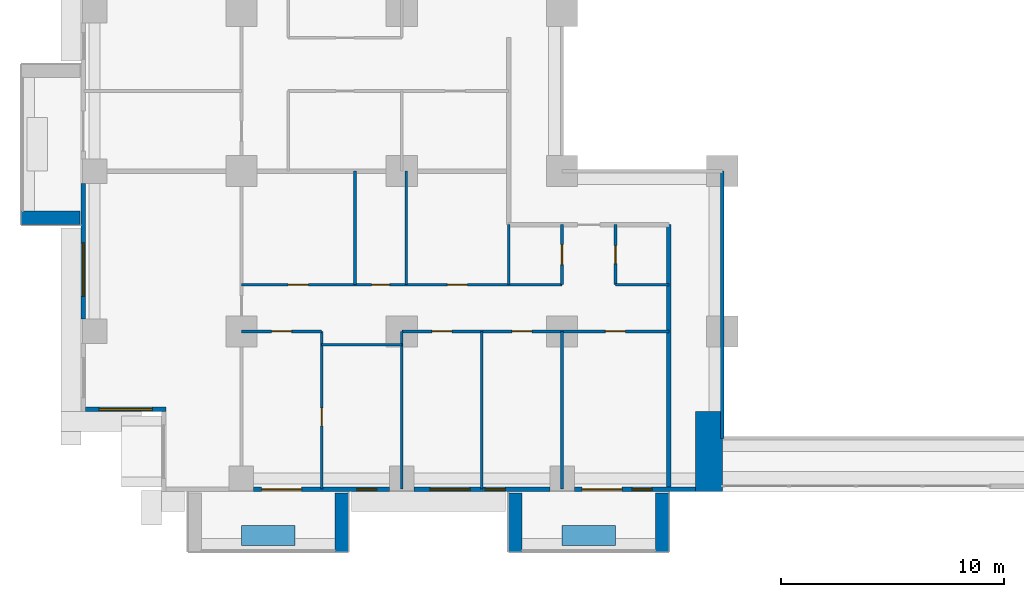
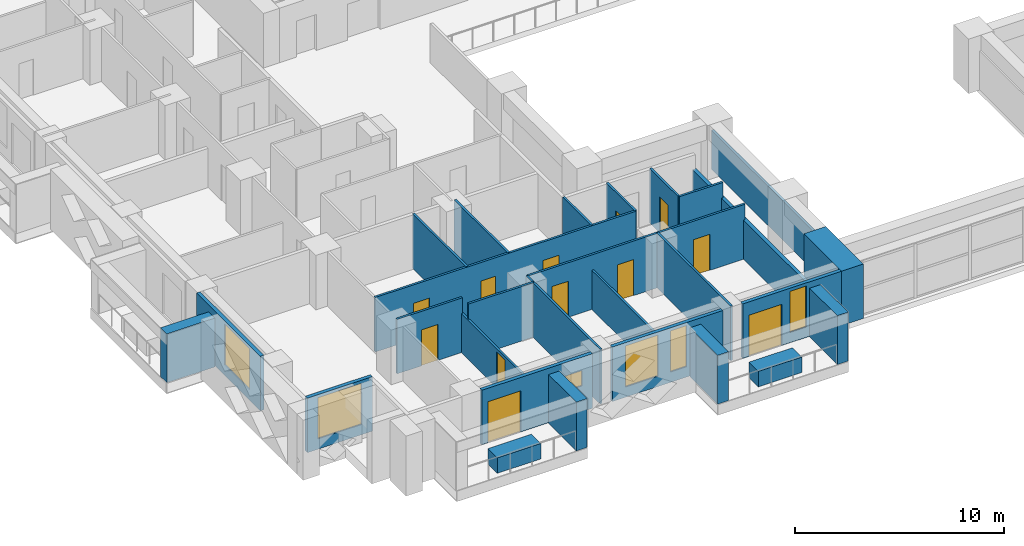
# One storey, part 6 of 17: 28 walls, 12 doors, 6 windows, 18 openings.
"""IFC4 building model written with IfcOpenShell, lengths in metres."""

from ifc_helpers import new_model, si_unit, direction, frame, frame_2d, origin, place, context, subcontext, project, spatial, rectangle, extrude, material, layer, layer_set, type_object, element, fill, save


model = new_model("IFC4")

# Units and contexts
model_context = context("Model", 3, precision=1e-05, world=origin(), true_north=direction((0.0, 1.0)))
body_context = subcontext(model_context, "Body", "Model", "MODEL_VIEW")
ifc_project = project(units=[si_unit("LENGTHUNIT", "METRE"), si_unit("AREAUNIT", "SQUARE_METRE"), si_unit("VOLUMEUNIT", "CUBIC_METRE"), si_unit("PLANEANGLEUNIT", "RADIAN"), si_unit("MASSUNIT", "GRAM", prefix="KILO")], contexts=[model_context])

# Site, building, storey
site_placement = place(None, origin())
site = spatial("IfcSite", under=ifc_project, at=site_placement, CompositionType="ELEMENT")
building_placement = place(site_placement, origin())
building = spatial("IfcBuilding", under=site, at=building_placement, Name="Saffron Iwan Residences", CompositionType="ELEMENT")
storey_placement = place(building_placement, frame((0.0, 0.0, 41.0)))
storey = spatial("IfcBuildingStorey", under=building, at=storey_placement, Name="L09", CompositionType="ELEMENT", Elevation=41.0)

# Walls
ifc_material_1 = material(Name="Fire-rated glazing", Category="glass")
ifc_layer_1 = layer(ifc_material_1, 0.14990234375)
ifc_layer_set_1 = layer_set([ifc_layer_1], Name="Fire-rated glazing")
wall_type_1 = type_object("IfcWallType", Name="Atrium glazed screen 150", PredefinedType="SOLIDWALL", material=ifc_layer_set_1)
wall_1_placement = place(storey_placement, frame((43.199951171875, 36.0, 0.0), z_axis=(0.0, 0.0, 1.0), x_axis=(0.0, 1.0, 0.0)))
element("IfcWall", 1, at=wall_1_placement, inside=storey, type_object=wall_type_1, Name="W-L09-SCREEN-v43.2-36", PredefinedType="SOLIDWALL", context=body_context, shape_type="SweptSolid", body=[
    extrude(rectangle(XDim=12.0, YDim=0.14990234375, at=frame_2d((6.0, 0.0))), origin(), (0.0, 0.0, 1.0), 2.280029296875),
])
ifc_material_2 = material(Name="Concrete C50/60 white painted", Category="concrete")
ifc_layer_2 = layer(ifc_material_2, 0.60009765625)
ifc_layer_set_2 = layer_set([ifc_layer_2], Name="Concrete C50/60 white painted")
wall_type_2 = type_object("IfcWallType", Name="BALCONY FIN 600", PredefinedType="SOLIDWALL", material=ifc_layer_set_2)
for number, where, z_axis, x_axis, name in (
    (2, (14.35009765625, 45.89990234375, 0.0), (0.0, 0.0, 1.0), (-1.0, 0.0, 0.0), "Balcony fin L09 F8-1b"),
    (3, (26.10009765625, 33.550048828125, 0.0), (0.0, 0.0, 1.0), (0.0, -1.0, 0.0), "Balcony fin L09 11-0b"),
    (4, (33.89990234375, 33.550048828125, 0.0), (0.0, 0.0, 1.0), (0.0, -1.0, 0.0), "Balcony fin L09 11-1a"),
    (5, (40.5, 33.550048828125, 0.0), (0.0, 0.0, 1.0), (0.0, -1.0, 0.0), "Balcony fin L09 11-1b"),
):
    element("IfcWall", number, at=place(storey_placement, frame(where, z_axis=z_axis, x_axis=x_axis)), inside=storey, type_object=wall_type_2, Name=name, PredefinedType="SOLIDWALL", context=body_context, shape_type="SweptSolid", body=[
        extrude(rectangle(XDim=2.650146484375, YDim=0.60009765625, at=frame_2d((1.3251953125, 0.0))), origin(), (0.0, 0.0, 1.0), 2.85009765625),
    ])
ifc_material_3 = material(Name="Concrete C35/45 white painted", Category="concrete")
ifc_layer_3 = layer(ifc_material_3, 0.14990234375)
ifc_layer_set_3 = layer_set([ifc_layer_3], Name="Concrete C35/45 white painted")
wall_type_3 = type_object("IfcWallType", Name="BALCONY PLANTER", PredefinedType="SOLIDWALL", material=ifc_layer_set_3)
for number, where, z_axis, x_axis, name in (
    (6, (21.60009765625, 31.625, 0.0), (0.0, 0.0, 1.0), (1.0, 0.0, 0.0), "PLANTER L09 11-0"),
    (7, (36.0, 31.625, 0.0), (0.0, 0.0, 1.0), (1.0, 0.0, 0.0), "PLANTER L09 11-1"),
):
    element("IfcWall", number, at=place(storey_placement, frame(where, z_axis=z_axis, x_axis=x_axis)), inside=storey, type_object=wall_type_3, Name=name, PredefinedType="SOLIDWALL", context=body_context, shape_type="SweptSolid", body=[
        extrude(rectangle(XDim=2.39990234375, YDim=0.89990234375, at=frame_2d((1.199951171875, 0.0))), origin(), (0.0, 0.0, 1.0), 0.89990234375),
    ])

# Wall, opening, window
ifc_material_4 = material(Name="Concrete C40/50", Category="concrete")
ifc_layer_4 = layer(ifc_material_4, 0.199951171875)
ifc_layer_set_4 = layer_set([ifc_layer_4], Name="Concrete C40/50")
wall_type_4 = type_object("IfcWallType", Name="EXTERNAL WALL 200", PredefinedType="SOLIDWALL", material=ifc_layer_set_4)
wall_2_placement = place(storey_placement, frame((14.5, 47.449951171875, 0.0), z_axis=(0.0, 0.0, 1.0), x_axis=(0.0, -1.0, 0.0)))
wall_2 = element("IfcWall", 8, at=wall_2_placement, inside=storey, type_object=wall_type_4, Name="External wall L09 F8.4", PredefinedType="SOLIDWALL", context=body_context, shape_type="SweptSolid", body=[
    extrude(rectangle(XDim=6.099853515625, YDim=0.199951171875, at=frame_2d((3.0498046875, 0.0))), origin(), (0.0, 0.0, 1.0), 3.179931640625),
])
opening_1_placement = place(wall_2_placement, frame((2.675048828125, 0.0, 0.60009765625)))
opening_1 = element("IfcOpeningElement", 9, at=opening_1_placement, cuts=wall_2, Name="Opening W1", PredefinedType="OPENING", context=body_context, shape_type="SweptSolid", body=[
    extrude(rectangle(XDim=2.39990234375, YDim=2.39990234375, at=frame_2d((1.199951171875, 1.199951171875))), frame((0.0, 0.10986328125, 0.0), z_axis=(0.0, -1.0, 0.0), x_axis=(1.0, 0.0, 0.0)), (0.0, 0.0, 1.0), 0.219970703125),
])
ifc_material_5 = material(Name="Clear glass, laminated double glazed", Category="glass")
window_type_1 = type_object("IfcWindowType", Name="WINDOW 2400 x 2400", PartitioningType="DOUBLE_PANEL_VERTICAL", PredefinedType="WINDOW", material=ifc_material_5)
window_1_placement = place(opening_1_placement, origin())
window_1 = element("IfcWindow", 10, at=window_1_placement, inside=storey, type_object=window_type_1, Name="Window L09 F8.0", OverallHeight=2.39990234375, OverallWidth=2.39990234375, PartitioningType="DOUBLE_PANEL_VERTICAL", PredefinedType="WINDOW", context=body_context, shape_type="SweptSolid", body=[
    extrude(rectangle(XDim=2.39990234375, YDim=2.39990234375, at=frame_2d((1.199951171875, 1.199951171875))), frame((0.0, 0.030029296875, 0.0), z_axis=(0.0, -1.0, 0.0), x_axis=(1.0, 0.0, 0.0)), (0.0, 0.0, 1.0), 0.06005859375),
])
fill(opening_1, window_1)

wall_3_placement = place(storey_placement, frame((14.60009765625, 37.300048828125, 0.0), z_axis=(0.0, 0.0, 1.0), x_axis=(1.0, 0.0, 0.0)))
wall_3 = element("IfcWall", 11, at=wall_3_placement, inside=storey, type_object=wall_type_4, Name="External wall L09 F9.0", PredefinedType="SOLIDWALL", context=body_context, shape_type="SweptSolid", body=[
    extrude(rectangle(XDim=3.599853515625, YDim=0.199951171875, at=frame_2d((1.7998046875, 0.0))), origin(), (0.0, 0.0, 1.0), 3.179931640625),
])
opening_2_placement = place(wall_3_placement, frame((0.60009765625, 0.0, 0.60009765625)))
opening_2 = element("IfcOpeningElement", 12, at=opening_2_placement, cuts=wall_3, Name="Opening W1", PredefinedType="OPENING", context=body_context, shape_type="SweptSolid", body=[
    extrude(rectangle(XDim=2.39990234375, YDim=2.39990234375, at=frame_2d((1.199951171875, 1.199951171875))), frame((0.0, 0.10986328125, 0.0), z_axis=(0.0, -1.0, 0.0), x_axis=(1.0, 0.0, 0.0)), (0.0, 0.0, 1.0), 0.219970703125),
])
window_2_placement = place(opening_2_placement, origin())
window_2 = element("IfcWindow", 13, at=window_2_placement, inside=storey, type_object=window_type_1, Name="Window L09 F9.0", OverallHeight=2.39990234375, OverallWidth=2.39990234375, PartitioningType="DOUBLE_PANEL_VERTICAL", PredefinedType="WINDOW", context=body_context, shape_type="SweptSolid", body=[
    extrude(rectangle(XDim=2.39990234375, YDim=2.39990234375, at=frame_2d((1.199951171875, 1.199951171875))), frame((0.0, 0.030029296875, 0.0), z_axis=(0.0, -1.0, 0.0), x_axis=(1.0, 0.0, 0.0)), (0.0, 0.0, 1.0), 0.06005859375),
])
fill(opening_2, window_2)

# Wall, openings, door, window
wall_4_placement = place(storey_placement, frame((22.14990234375, 33.699951171875, 0.0), z_axis=(0.0, 0.0, 1.0), x_axis=(1.0, 0.0, 0.0)))
wall_4 = element("IfcWall", 14, at=wall_4_placement, inside=storey, type_object=wall_type_4, Name="External wall L09 F11.1", PredefinedType="SOLIDWALL", context=body_context, shape_type="SweptSolid", body=[
    extrude(rectangle(XDim=6.10009765625, YDim=0.199951171875, at=frame_2d((3.050048828125, 0.0))), origin(), (0.0, 0.0, 1.0), 3.179931640625),
])
opening_3_placement = place(wall_4_placement, frame((0.35009765625, 0.0, 0.0)))
opening_3 = element("IfcOpeningElement", 15, at=opening_3_placement, cuts=wall_4, Name="Opening BD1", PredefinedType="OPENING", context=body_context, shape_type="SweptSolid", body=[
    extrude(rectangle(XDim=1.800048828125, YDim=2.39990234375, at=frame_2d((0.89990234375, 1.199951171875))), frame((0.0, 0.10986328125, 0.0), z_axis=(0.0, -1.0, 0.0), x_axis=(1.0, 0.0, 0.0)), (0.0, 0.0, 1.0), 0.219970703125),
])
opening_4_placement = place(wall_4_placement, frame((4.625, 0.0, 1.5)))
opening_4 = element("IfcOpeningElement", 16, at=opening_4_placement, cuts=wall_4, Name="Opening W6", PredefinedType="OPENING", context=body_context, shape_type="SweptSolid", body=[
    extrude(rectangle(XDim=0.89990234375, YDim=0.89990234375, at=frame_2d((0.449951171875, 0.449951171875))), frame((0.0, 0.10986328125, 0.0), z_axis=(0.0, -1.0, 0.0), x_axis=(1.0, 0.0, 0.0)), (0.0, 0.0, 1.0), 0.219970703125),
])
door_type_1 = type_object("IfcDoorType", Name="BALCONY DOOR 1800 x 2400", OperationType="DOUBLE_DOOR_SLIDING", PredefinedType="DOOR", material=ifc_material_5)
door_1_placement = place(opening_3_placement, origin())
door_1 = element("IfcDoor", 17, at=door_1_placement, inside=storey, type_object=door_type_1, Name="Balcony door L09 F11.0", OperationType="DOUBLE_DOOR_SLIDING", OverallHeight=2.39990234375, OverallWidth=1.800048828125, PredefinedType="DOOR", context=body_context, shape_type="SweptSolid", body=[
    extrude(rectangle(XDim=1.800048828125, YDim=2.39990234375, at=frame_2d((0.89990234375, 1.199951171875))), frame((0.0, 0.02490234375, 0.0), z_axis=(0.0, -1.0, 0.0), x_axis=(1.0, 0.0, 0.0)), (0.0, 0.0, 1.0), 0.050048828125),
])
fill(opening_3, door_1)
window_type_2 = type_object("IfcWindowType", Name="WINDOW 900 x 900 BATH", PartitioningType="SINGLE_PANEL", PredefinedType="WINDOW", material=ifc_material_5)
window_3_placement = place(opening_4_placement, origin())
window_3 = element("IfcWindow", 18, at=window_3_placement, inside=storey, type_object=window_type_2, Name="Window L09 F11.1", OverallHeight=0.89990234375, OverallWidth=0.89990234375, PartitioningType="SINGLE_PANEL", PredefinedType="WINDOW", context=body_context, shape_type="SweptSolid", body=[
    extrude(rectangle(XDim=0.89990234375, YDim=0.89990234375, at=frame_2d((0.449951171875, 0.449951171875))), frame((0.0, 0.030029296875, 0.0), z_axis=(0.0, -1.0, 0.0), x_axis=(1.0, 0.0, 0.0)), (0.0, 0.0, 1.0), 0.06005859375),
])
fill(opening_4, window_3)

# Wall, openings, windows
wall_5_placement = place(storey_placement, frame((29.35009765625, 33.699951171875, 0.0), z_axis=(0.0, 0.0, 1.0), x_axis=(1.0, 0.0, 0.0)))
wall_5 = element("IfcWall", 19, at=wall_5_placement, inside=storey, type_object=wall_type_4, Name="External wall L09 F11.2", PredefinedType="SOLIDWALL", context=body_context, shape_type="SweptSolid", body=[
    extrude(rectangle(XDim=6.099853515625, YDim=0.199951171875, at=frame_2d((3.0498046875, 0.0))), origin(), (0.0, 0.0, 1.0), 3.179931640625),
])
opening_5_placement = place(wall_5_placement, frame((0.72509765625, 0.0, 0.60009765625)))
opening_5 = element("IfcOpeningElement", 20, at=opening_5_placement, cuts=wall_5, Name="Opening W8", PredefinedType="OPENING", context=body_context, shape_type="SweptSolid", body=[
    extrude(rectangle(XDim=1.800048828125, YDim=2.39990234375, at=frame_2d((0.89990234375, 1.199951171875))), frame((0.0, 0.10986328125, 0.0), z_axis=(0.0, -1.0, 0.0), x_axis=(1.0, 0.0, 0.0)), (0.0, 0.0, 1.0), 0.219970703125),
])
opening_6_placement = place(wall_5_placement, frame((3.199951171875, 0.0, 0.60009765625)))
opening_6 = element("IfcOpeningElement", 21, at=opening_6_placement, cuts=wall_5, Name="Opening W10", PredefinedType="OPENING", context=body_context, shape_type="SweptSolid", body=[
    extrude(rectangle(XDim=0.89990234375, YDim=2.39990234375, at=frame_2d((0.449951171875, 1.199951171875))), frame((0.0, 0.10986328125, 0.0), z_axis=(0.0, -1.0, 0.0), x_axis=(1.0, 0.0, 0.0)), (0.0, 0.0, 1.0), 0.219970703125),
])
window_type_3 = type_object("IfcWindowType", Name="WINDOW 1800 x 2400", PartitioningType="DOUBLE_PANEL_VERTICAL", PredefinedType="WINDOW", material=ifc_material_5)
window_4_placement = place(opening_5_placement, origin())
window_4 = element("IfcWindow", 22, at=window_4_placement, inside=storey, type_object=window_type_3, Name="Window L09 F11.0", OverallHeight=2.39990234375, OverallWidth=1.800048828125, PartitioningType="DOUBLE_PANEL_VERTICAL", PredefinedType="WINDOW", context=body_context, shape_type="SweptSolid", body=[
    extrude(rectangle(XDim=1.800048828125, YDim=2.39990234375, at=frame_2d((0.89990234375, 1.199951171875))), frame((0.0, 0.030029296875, 0.0), z_axis=(0.0, -1.0, 0.0), x_axis=(1.0, 0.0, 0.0)), (0.0, 0.0, 1.0), 0.06005859375),
])
fill(opening_5, window_4)
window_type_4 = type_object("IfcWindowType", Name="WINDOW 900 x 2400", PartitioningType="SINGLE_PANEL", PredefinedType="WINDOW", material=ifc_material_5)
window_5_placement = place(opening_6_placement, origin())
window_5 = element("IfcWindow", 23, at=window_5_placement, inside=storey, type_object=window_type_4, Name="Window L09 F11.1", OverallHeight=2.39990234375, OverallWidth=0.89990234375, PartitioningType="SINGLE_PANEL", PredefinedType="WINDOW", context=body_context, shape_type="SweptSolid", body=[
    extrude(rectangle(XDim=0.89990234375, YDim=2.39990234375, at=frame_2d((0.449951171875, 1.199951171875))), frame((0.0, 0.030029296875, 0.0), z_axis=(0.0, -1.0, 0.0), x_axis=(1.0, 0.0, 0.0)), (0.0, 0.0, 1.0), 0.06005859375),
])
fill(opening_6, window_5)

# Wall, openings, door, window
wall_6_placement = place(storey_placement, frame((36.550048828125, 33.699951171875, 0.0), z_axis=(0.0, 0.0, 1.0), x_axis=(1.0, 0.0, 0.0)))
wall_6 = element("IfcWall", 24, at=wall_6_placement, inside=storey, type_object=wall_type_4, Name="External wall L09 F11.3", PredefinedType="SOLIDWALL", context=body_context, shape_type="SweptSolid", body=[
    extrude(rectangle(XDim=5.449951171875, YDim=0.199951171875, at=frame_2d((2.72509765625, 0.0))), origin(), (0.0, 0.0, 1.0), 3.179931640625),
])
opening_7_placement = place(wall_6_placement, frame((0.35009765625, 0.0, 0.0)))
opening_7 = element("IfcOpeningElement", 25, at=opening_7_placement, cuts=wall_6, Name="Opening BD1", PredefinedType="OPENING", context=body_context, shape_type="SweptSolid", body=[
    extrude(rectangle(XDim=1.800048828125, YDim=2.39990234375, at=frame_2d((0.89990234375, 1.199951171875))), frame((0.0, 0.10986328125, 0.0), z_axis=(0.0, -1.0, 0.0), x_axis=(1.0, 0.0, 0.0)), (0.0, 0.0, 1.0), 0.219970703125),
])
opening_8_placement = place(wall_6_placement, frame((2.60009765625, 0.0, 0.60009765625)))
opening_8 = element("IfcOpeningElement", 26, at=opening_8_placement, cuts=wall_6, Name="Opening W10", PredefinedType="OPENING", context=body_context, shape_type="SweptSolid", body=[
    extrude(rectangle(XDim=0.89990234375, YDim=2.39990234375, at=frame_2d((0.449951171875, 1.199951171875))), frame((0.0, 0.10986328125, 0.0), z_axis=(0.0, -1.0, 0.0), x_axis=(1.0, 0.0, 0.0)), (0.0, 0.0, 1.0), 0.219970703125),
])
door_2_placement = place(opening_7_placement, origin())
door_2 = element("IfcDoor", 27, at=door_2_placement, inside=storey, type_object=door_type_1, Name="Balcony door L09 F11.0", OperationType="DOUBLE_DOOR_SLIDING", OverallHeight=2.39990234375, OverallWidth=1.800048828125, PredefinedType="DOOR", context=body_context, shape_type="SweptSolid", body=[
    extrude(rectangle(XDim=1.800048828125, YDim=2.39990234375, at=frame_2d((0.89990234375, 1.199951171875))), frame((0.0, 0.02490234375, 0.0), z_axis=(0.0, -1.0, 0.0), x_axis=(1.0, 0.0, 0.0)), (0.0, 0.0, 1.0), 0.050048828125),
])
fill(opening_7, door_2)
window_6_placement = place(opening_8_placement, origin())
window_6 = element("IfcWindow", 28, at=window_6_placement, inside=storey, type_object=window_type_4, Name="Window L09 F11.1", OverallHeight=2.39990234375, OverallWidth=0.89990234375, PartitioningType="SINGLE_PANEL", PredefinedType="WINDOW", context=body_context, shape_type="SweptSolid", body=[
    extrude(rectangle(XDim=0.89990234375, YDim=2.39990234375, at=frame_2d((0.449951171875, 1.199951171875))), frame((0.0, 0.030029296875, 0.0), z_axis=(0.0, -1.0, 0.0), x_axis=(1.0, 0.0, 0.0)), (0.0, 0.0, 1.0), 0.06005859375),
])
fill(opening_8, window_6)

# Wall
ifc_material_6 = material(Name="Gypsum board partition")
ifc_layer_5 = layer(ifc_material_6, 0.1201171875)
ifc_layer_set_5 = layer_set([ifc_layer_5], Name="Gypsum board partition")
wall_type_5 = type_object("IfcWallType", Name="Flat partition 120", PredefinedType="PARTITIONING", material=ifc_layer_set_5)
wall_7_placement = place(storey_placement, frame((25.199951171875, 40.199951171875, 0.0), z_axis=(0.0, 0.0, 1.0), x_axis=(1.0, 0.0, 0.0)))
element("IfcWall", 29, at=wall_7_placement, inside=storey, type_object=wall_type_5, Name="W-L09-PART-h40.2-25.2", PredefinedType="PARTITIONING", context=body_context, shape_type="SweptSolid", body=[
    extrude(rectangle(XDim=3.60009765625, YDim=0.1201171875, at=frame_2d((1.800048828125, 0.0))), origin(), (0.0, 0.0, 1.0), 3.179931640625),
])

# Wall, opening, door
wall_8_placement = place(storey_placement, frame((21.60009765625, 40.800048828125, 0.0), z_axis=(0.0, 0.0, 1.0), x_axis=(1.0, 0.0, 0.0)))
wall_8 = element("IfcWall", 30, at=wall_8_placement, inside=storey, type_object=wall_type_5, Name="W-L09-PART-h40.8-21.6", PredefinedType="PARTITIONING", context=body_context, shape_type="SweptSolid", body=[
    extrude(rectangle(XDim=3.599853515625, YDim=0.1201171875, at=frame_2d((1.7998046875, 0.0))), origin(), (0.0, 0.0, 1.0), 3.179931640625),
])
opening_9_placement = place(wall_8_placement, frame((1.35009765625, 0.0, 0.0)))
opening_9 = element("IfcOpeningElement", 31, at=opening_9_placement, cuts=wall_8, Name="Opening FD2", PredefinedType="OPENING", context=body_context, shape_type="SweptSolid", body=[
    extrude(rectangle(XDim=0.89990234375, YDim=2.10009765625, at=frame_2d((0.449951171875, 1.050048828125))), frame((0.0, 0.070068359375, 0.0), z_axis=(0.0, -1.0, 0.0), x_axis=(1.0, 0.0, 0.0)), (0.0, 0.0, 1.0), 0.14013671875),
])
ifc_material_7 = material(Name="Timber door", Category="wood")
door_type_2 = type_object("IfcDoorType", Name="Flat door 900", OperationType="NOTDEFINED", PredefinedType="DOOR", material=ifc_material_7)
door_3_placement = place(opening_9_placement, origin())
door_3 = element("IfcDoor", 32, at=door_3_placement, inside=storey, type_object=door_type_2, Name="Door L09-003", OperationType="SINGLE_SWING_LEFT", OverallHeight=2.10009765625, OverallWidth=0.89990234375, PredefinedType="DOOR", context=body_context, shape_type="SweptSolid", body=[
    extrude(rectangle(XDim=0.89990234375, YDim=2.10009765625, at=frame_2d((0.449951171875, 1.050048828125))), frame((0.0, 0.02490234375, 0.0), z_axis=(0.0, -1.0, 0.0), x_axis=(1.0, 0.0, 0.0)), (0.0, 0.0, 1.0), 0.050048828125),
])
fill(opening_9, door_3)

# Wall, openings, doors
wall_9_placement = place(storey_placement, frame((28.800048828125, 40.800048828125, 0.0), z_axis=(0.0, 0.0, 1.0), x_axis=(1.0, 0.0, 0.0)))
wall_9 = element("IfcWall", 33, at=wall_9_placement, inside=storey, type_object=wall_type_5, Name="W-L09-PART-h40.8-28.8", PredefinedType="PARTITIONING", context=body_context, shape_type="SweptSolid", body=[
    extrude(rectangle(XDim=12.0, YDim=0.1201171875, at=frame_2d((6.0, 0.0))), origin(), (0.0, 0.0, 1.0), 3.179931640625),
])
opening_10_placement = place(wall_9_placement, frame((1.35009765625, 0.0, 0.0)))
opening_10 = element("IfcOpeningElement", 34, at=opening_10_placement, cuts=wall_9, Name="Opening FD2", PredefinedType="OPENING", context=body_context, shape_type="SweptSolid", body=[
    extrude(rectangle(XDim=0.89990234375, YDim=2.10009765625, at=frame_2d((0.449951171875, 1.050048828125))), frame((0.0, 0.070068359375, 0.0), z_axis=(0.0, -1.0, 0.0), x_axis=(1.0, 0.0, 0.0)), (0.0, 0.0, 1.0), 0.14013671875),
])
opening_11_placement = place(wall_9_placement, frame((4.949951171875, 0.0, 0.0)))
opening_11 = element("IfcOpeningElement", 35, at=opening_11_placement, cuts=wall_9, Name="Opening FD2", PredefinedType="OPENING", context=body_context, shape_type="SweptSolid", body=[
    extrude(rectangle(XDim=0.89990234375, YDim=2.10009765625, at=frame_2d((0.449951171875, 1.050048828125))), frame((0.0, 0.070068359375, 0.0), z_axis=(0.0, -1.0, 0.0), x_axis=(1.0, 0.0, 0.0)), (0.0, 0.0, 1.0), 0.14013671875),
])
opening_12_placement = place(wall_9_placement, frame((9.14990234375, 0.0, 0.0)))
opening_12 = element("IfcOpeningElement", 36, at=opening_12_placement, cuts=wall_9, Name="Opening FD2", PredefinedType="OPENING", context=body_context, shape_type="SweptSolid", body=[
    extrude(rectangle(XDim=0.89990234375, YDim=2.10009765625, at=frame_2d((0.449951171875, 1.050048828125))), frame((0.0, 0.070068359375, 0.0), z_axis=(0.0, -1.0, 0.0), x_axis=(1.0, 0.0, 0.0)), (0.0, 0.0, 1.0), 0.14013671875),
])
door_4_placement = place(opening_10_placement, origin())
door_4 = element("IfcDoor", 37, at=door_4_placement, inside=storey, type_object=door_type_2, Name="Door L09-005", OperationType="SINGLE_SWING_LEFT", OverallHeight=2.10009765625, OverallWidth=0.89990234375, PredefinedType="DOOR", context=body_context, shape_type="SweptSolid", body=[
    extrude(rectangle(XDim=0.89990234375, YDim=2.10009765625, at=frame_2d((0.449951171875, 1.050048828125))), frame((0.0, 0.02490234375, 0.0), z_axis=(0.0, -1.0, 0.0), x_axis=(1.0, 0.0, 0.0)), (0.0, 0.0, 1.0), 0.050048828125),
])
fill(opening_10, door_4)
door_5_placement = place(opening_11_placement, origin())
door_5 = element("IfcDoor", 38, at=door_5_placement, inside=storey, type_object=door_type_2, Name="Door L09-006", OperationType="SINGLE_SWING_LEFT", OverallHeight=2.10009765625, OverallWidth=0.89990234375, PredefinedType="DOOR", context=body_context, shape_type="SweptSolid", body=[
    extrude(rectangle(XDim=0.89990234375, YDim=2.10009765625, at=frame_2d((0.449951171875, 1.050048828125))), frame((0.0, 0.02490234375, 0.0), z_axis=(0.0, -1.0, 0.0), x_axis=(1.0, 0.0, 0.0)), (0.0, 0.0, 1.0), 0.050048828125),
])
fill(opening_11, door_5)
door_6_placement = place(opening_12_placement, origin())
door_6 = element("IfcDoor", 39, at=door_6_placement, inside=storey, type_object=door_type_2, Name="Door L09-007", OperationType="SINGLE_SWING_RIGHT", OverallHeight=2.10009765625, OverallWidth=0.89990234375, PredefinedType="DOOR", context=body_context, shape_type="SweptSolid", body=[
    extrude(rectangle(XDim=0.89990234375, YDim=2.10009765625, at=frame_2d((0.449951171875, 1.050048828125))), frame((0.0, 0.02490234375, 0.0), z_axis=(0.0, -1.0, 0.0), x_axis=(1.0, 0.0, 0.0)), (0.0, 0.0, 1.0), 0.050048828125),
])
fill(opening_12, door_6)

wall_10_placement = place(storey_placement, frame((21.60009765625, 42.89990234375, 0.0), z_axis=(0.0, 0.0, 1.0), x_axis=(1.0, 0.0, 0.0)))
wall_10 = element("IfcWall", 40, at=wall_10_placement, inside=storey, type_object=wall_type_5, Name="W-L09-PART-h42.9-21.6", PredefinedType="PARTITIONING", context=body_context, shape_type="SweptSolid", body=[
    extrude(rectangle(XDim=14.39990234375, YDim=0.1201171875, at=frame_2d((7.199951171875, 0.0))), origin(), (0.0, 0.0, 1.0), 3.179931640625),
])
opening_13_placement = place(wall_10_placement, frame((2.10009765625, 0.0, 0.0)))
opening_13 = element("IfcOpeningElement", 41, at=opening_13_placement, cuts=wall_10, Name="Opening FD2", PredefinedType="OPENING", context=body_context, shape_type="SweptSolid", body=[
    extrude(rectangle(XDim=0.89990234375, YDim=2.10009765625, at=frame_2d((0.449951171875, 1.050048828125))), frame((0.0, 0.070068359375, 0.0), z_axis=(0.0, -1.0, 0.0), x_axis=(1.0, 0.0, 0.0)), (0.0, 0.0, 1.0), 0.14013671875),
])
opening_14_placement = place(wall_10_placement, frame((5.85009765625, 0.0, 0.0)))
opening_14 = element("IfcOpeningElement", 42, at=opening_14_placement, cuts=wall_10, Name="Opening FD3", PredefinedType="OPENING", context=body_context, shape_type="SweptSolid", body=[
    extrude(rectangle(XDim=0.800048828125, YDim=2.10009765625, at=frame_2d((0.39990234375, 1.050048828125))), frame((0.0, 0.070068359375, 0.0), z_axis=(0.0, -1.0, 0.0), x_axis=(1.0, 0.0, 0.0)), (0.0, 0.0, 1.0), 0.14013671875),
])
opening_15_placement = place(wall_10_placement, frame((9.25, 0.0, 0.0)))
opening_15 = element("IfcOpeningElement", 43, at=opening_15_placement, cuts=wall_10, Name="Opening FD2", PredefinedType="OPENING", context=body_context, shape_type="SweptSolid", body=[
    extrude(rectangle(XDim=0.89990234375, YDim=2.10009765625, at=frame_2d((0.449951171875, 1.050048828125))), frame((0.0, 0.070068359375, 0.0), z_axis=(0.0, -1.0, 0.0), x_axis=(1.0, 0.0, 0.0)), (0.0, 0.0, 1.0), 0.14013671875),
])
door_type_3 = type_object("IfcDoorType", Name="Bathroom door 800", OperationType="NOTDEFINED", PredefinedType="DOOR", material=ifc_material_7)
door_7_placement = place(opening_14_placement, origin())
door_7 = element("IfcDoor", 44, at=door_7_placement, inside=storey, type_object=door_type_3, Name="Door L09-009", OperationType="SINGLE_SWING_LEFT", OverallHeight=2.10009765625, OverallWidth=0.800048828125, PredefinedType="DOOR", context=body_context, shape_type="SweptSolid", body=[
    extrude(rectangle(XDim=0.800048828125, YDim=2.10009765625, at=frame_2d((0.39990234375, 1.050048828125))), frame((0.0, 0.02490234375, 0.0), z_axis=(0.0, -1.0, 0.0), x_axis=(1.0, 0.0, 0.0)), (0.0, 0.0, 1.0), 0.050048828125),
])
fill(opening_14, door_7)
door_8_placement = place(opening_13_placement, origin())
door_8 = element("IfcDoor", 45, at=door_8_placement, inside=storey, type_object=door_type_2, Name="Door L09-008", OperationType="SINGLE_SWING_LEFT", OverallHeight=2.10009765625, OverallWidth=0.89990234375, PredefinedType="DOOR", context=body_context, shape_type="SweptSolid", body=[
    extrude(rectangle(XDim=0.89990234375, YDim=2.10009765625, at=frame_2d((0.449951171875, 1.050048828125))), frame((0.0, 0.02490234375, 0.0), z_axis=(0.0, -1.0, 0.0), x_axis=(1.0, 0.0, 0.0)), (0.0, 0.0, 1.0), 0.050048828125),
])
fill(opening_13, door_8)
door_9_placement = place(opening_15_placement, origin())
door_9 = element("IfcDoor", 46, at=door_9_placement, inside=storey, type_object=door_type_2, Name="Door L09-010", OperationType="SINGLE_SWING_RIGHT", OverallHeight=2.10009765625, OverallWidth=0.89990234375, PredefinedType="DOOR", context=body_context, shape_type="SweptSolid", body=[
    extrude(rectangle(XDim=0.89990234375, YDim=2.10009765625, at=frame_2d((0.449951171875, 1.050048828125))), frame((0.0, 0.02490234375, 0.0), z_axis=(0.0, -1.0, 0.0), x_axis=(1.0, 0.0, 0.0)), (0.0, 0.0, 1.0), 0.050048828125),
])
fill(opening_15, door_9)

# Wall
wall_11_placement = place(storey_placement, frame((38.39990234375, 42.89990234375, 0.0), z_axis=(0.0, 0.0, 1.0), x_axis=(1.0, 0.0, 0.0)))
element("IfcWall", 47, at=wall_11_placement, inside=storey, type_object=wall_type_5, Name="W-L09-PART-h42.9-38.4", PredefinedType="PARTITIONING", context=body_context, shape_type="SweptSolid", body=[
    extrude(rectangle(XDim=2.400146484375, YDim=0.1201171875, at=frame_2d((1.2001953125, 0.0))), origin(), (0.0, 0.0, 1.0), 3.179931640625),
])

# Wall, opening, door
wall_12_placement = place(storey_placement, frame((25.199951171875, 33.72509765625, 0.0), z_axis=(0.0, 0.0, 1.0), x_axis=(0.0, 1.0, 0.0)))
wall_12 = element("IfcWall", 48, at=wall_12_placement, inside=storey, type_object=wall_type_5, Name="W-L09-PART-v25.2-33.725", PredefinedType="PARTITIONING", context=body_context, shape_type="SweptSolid", body=[
    extrude(rectangle(XDim=7.074951171875, YDim=0.1201171875, at=frame_2d((3.53759765625, 0.0))), origin(), (0.0, 0.0, 1.0), 2.280029296875),
])
opening_16_placement = place(wall_12_placement, frame((2.83740234375, 0.0, 0.0)))
opening_16 = element("IfcOpeningElement", 49, at=opening_16_placement, cuts=wall_12, Name="Opening FD3", PredefinedType="OPENING", context=body_context, shape_type="SweptSolid", body=[
    extrude(rectangle(XDim=0.800048828125, YDim=2.10009765625, at=frame_2d((0.39990234375, 1.050048828125))), frame((0.0, 0.070068359375, 0.0), z_axis=(0.0, -1.0, 0.0), x_axis=(1.0, 0.0, 0.0)), (0.0, 0.0, 1.0), 0.14013671875),
])
door_10_placement = place(opening_16_placement, origin())
door_10 = element("IfcDoor", 50, at=door_10_placement, inside=storey, type_object=door_type_3, Name="Door L09-004", OperationType="SINGLE_SWING_RIGHT", OverallHeight=2.10009765625, OverallWidth=0.800048828125, PredefinedType="DOOR", context=body_context, shape_type="SweptSolid", body=[
    extrude(rectangle(XDim=0.800048828125, YDim=2.10009765625, at=frame_2d((0.39990234375, 1.050048828125))), frame((0.0, 0.02490234375, 0.0), z_axis=(0.0, -1.0, 0.0), x_axis=(1.0, 0.0, 0.0)), (0.0, 0.0, 1.0), 0.050048828125),
])
fill(opening_16, door_10)

# Walls
wall_13_placement = place(storey_placement, frame((26.699951171875, 42.89990234375, 0.0), z_axis=(0.0, 0.0, 1.0), x_axis=(0.0, 1.0, 0.0)))
element("IfcWall", 51, at=wall_13_placement, inside=storey, type_object=wall_type_5, Name="W-L09-PART-v26.7-42.9", PredefinedType="PARTITIONING", context=body_context, shape_type="SweptSolid", body=[
    extrude(rectangle(XDim=5.10009765625, YDim=0.1201171875, at=frame_2d((2.550048828125, 0.0))), origin(), (0.0, 0.0, 1.0), 3.179931640625),
])
wall_14_placement = place(storey_placement, frame((28.800048828125, 33.72509765625, 0.0), z_axis=(0.0, 0.0, 1.0), x_axis=(0.0, 1.0, 0.0)))
element("IfcWall", 52, at=wall_14_placement, inside=storey, type_object=wall_type_5, Name="W-L09-PART-v28.8-33.725", PredefinedType="PARTITIONING", context=body_context, shape_type="SweptSolid", body=[
    extrude(rectangle(XDim=7.074951171875, YDim=0.1201171875, at=frame_2d((3.53759765625, 0.0))), origin(), (0.0, 0.0, 1.0), 3.179931640625),
])
wall_15_placement = place(storey_placement, frame((29.0, 42.89990234375, 0.0), z_axis=(0.0, 0.0, 1.0), x_axis=(0.0, 1.0, 0.0)))
element("IfcWall", 53, at=wall_15_placement, inside=storey, type_object=wall_type_5, Name="W-L09-PART-v29-42.9", PredefinedType="PARTITIONING", context=body_context, shape_type="SweptSolid", body=[
    extrude(rectangle(XDim=5.10009765625, YDim=0.1201171875, at=frame_2d((2.550048828125, 0.0))), origin(), (0.0, 0.0, 1.0), 3.179931640625),
])
wall_16_placement = place(storey_placement, frame((32.39990234375, 33.72509765625, 0.0), z_axis=(0.0, 0.0, 1.0), x_axis=(0.0, 1.0, 0.0)))
element("IfcWall", 54, at=wall_16_placement, inside=storey, type_object=wall_type_5, Name="W-L09-PART-v32.4-33.725", PredefinedType="PARTITIONING", context=body_context, shape_type="SweptSolid", body=[
    extrude(rectangle(XDim=7.074951171875, YDim=0.1201171875, at=frame_2d((3.53759765625, 0.0))), origin(), (0.0, 0.0, 1.0), 2.280029296875),
])
wall_17_placement = place(storey_placement, frame((33.60009765625, 42.89990234375, 0.0), z_axis=(0.0, 0.0, 1.0), x_axis=(0.0, 1.0, 0.0)))
element("IfcWall", 55, at=wall_17_placement, inside=storey, type_object=wall_type_5, Name="W-L09-PART-v33.6-42.9", PredefinedType="PARTITIONING", context=body_context, shape_type="SweptSolid", body=[
    extrude(rectangle(XDim=2.7001953125, YDim=0.1201171875, at=frame_2d((1.35009765625, 0.0))), origin(), (0.0, 0.0, 1.0), 3.179931640625),
])
wall_18_placement = place(storey_placement, frame((36.0, 33.72509765625, 0.0), z_axis=(0.0, 0.0, 1.0), x_axis=(0.0, 1.0, 0.0)))
element("IfcWall", 56, at=wall_18_placement, inside=storey, type_object=wall_type_5, Name="W-L09-PART-v36-33.725", PredefinedType="PARTITIONING", context=body_context, shape_type="SweptSolid", body=[
    extrude(rectangle(XDim=7.074951171875, YDim=0.1201171875, at=frame_2d((3.53759765625, 0.0))), origin(), (0.0, 0.0, 1.0), 3.179931640625),
])

# Wall, opening, door
wall_19_placement = place(storey_placement, frame((36.0, 42.89990234375, 0.0), z_axis=(0.0, 0.0, 1.0), x_axis=(0.0, 1.0, 0.0)))
wall_19 = element("IfcWall", 57, at=wall_19_placement, inside=storey, type_object=wall_type_5, Name="W-L09-PART-v36-42.9", PredefinedType="PARTITIONING", context=body_context, shape_type="SweptSolid", body=[
    extrude(rectangle(XDim=2.7001953125, YDim=0.1201171875, at=frame_2d((1.35009765625, 0.0))), origin(), (0.0, 0.0, 1.0), 3.179931640625),
])
opening_17_placement = place(wall_19_placement, frame((0.89990234375, 0.0, 0.0)))
opening_17 = element("IfcOpeningElement", 58, at=opening_17_placement, cuts=wall_19, Name="Opening FD2", PredefinedType="OPENING", context=body_context, shape_type="SweptSolid", body=[
    extrude(rectangle(XDim=0.89990234375, YDim=2.10009765625, at=frame_2d((0.449951171875, 1.050048828125))), frame((0.0, 0.070068359375, 0.0), z_axis=(0.0, -1.0, 0.0), x_axis=(1.0, 0.0, 0.0)), (0.0, 0.0, 1.0), 0.14013671875),
])
door_11_placement = place(opening_17_placement, origin())
door_11 = element("IfcDoor", 59, at=door_11_placement, inside=storey, type_object=door_type_2, Name="Door L09-011", OperationType="SINGLE_SWING_LEFT", OverallHeight=2.10009765625, OverallWidth=0.89990234375, PredefinedType="DOOR", context=body_context, shape_type="SweptSolid", body=[
    extrude(rectangle(XDim=0.89990234375, YDim=2.10009765625, at=frame_2d((0.449951171875, 1.050048828125))), frame((0.0, 0.02490234375, 0.0), z_axis=(0.0, -1.0, 0.0), x_axis=(1.0, 0.0, 0.0)), (0.0, 0.0, 1.0), 0.050048828125),
])
fill(opening_17, door_11)

wall_20_placement = place(storey_placement, frame((38.39990234375, 42.89990234375, 0.0), z_axis=(0.0, 0.0, 1.0), x_axis=(0.0, 1.0, 0.0)))
wall_20 = element("IfcWall", 60, at=wall_20_placement, inside=storey, type_object=wall_type_5, Name="W-L09-PART-v38.4-42.9", PredefinedType="PARTITIONING", context=body_context, shape_type="SweptSolid", body=[
    extrude(rectangle(XDim=2.7001953125, YDim=0.1201171875, at=frame_2d((1.35009765625, 0.0))), origin(), (0.0, 0.0, 1.0), 3.179931640625),
])
opening_18_placement = place(wall_20_placement, frame((0.949951171875, 0.0, 0.0)))
opening_18 = element("IfcOpeningElement", 61, at=opening_18_placement, cuts=wall_20, Name="Opening FD3", PredefinedType="OPENING", context=body_context, shape_type="SweptSolid", body=[
    extrude(rectangle(XDim=0.800048828125, YDim=2.10009765625, at=frame_2d((0.39990234375, 1.050048828125))), frame((0.0, 0.070068359375, 0.0), z_axis=(0.0, -1.0, 0.0), x_axis=(1.0, 0.0, 0.0)), (0.0, 0.0, 1.0), 0.14013671875),
])
door_12_placement = place(opening_18_placement, origin())
door_12 = element("IfcDoor", 62, at=door_12_placement, inside=storey, type_object=door_type_3, Name="Door L09-012", OperationType="SINGLE_SWING_LEFT", OverallHeight=2.10009765625, OverallWidth=0.800048828125, PredefinedType="DOOR", context=body_context, shape_type="SweptSolid", body=[
    extrude(rectangle(XDim=0.800048828125, YDim=2.10009765625, at=frame_2d((0.39990234375, 1.050048828125))), frame((0.0, 0.02490234375, 0.0), z_axis=(0.0, -1.0, 0.0), x_axis=(1.0, 0.0, 0.0)), (0.0, 0.0, 1.0), 0.050048828125),
])
fill(opening_18, door_12)

# Walls
ifc_material_8 = material(Name="Fire-rated gypsum board wall")
ifc_layer_6 = layer(ifc_material_8, 0.199951171875)
ifc_layer_set_6 = layer_set([ifc_layer_6], Name="Fire-rated gypsum board wall")
wall_type_6 = type_object("IfcWallType", Name="Gallery wall 200", PredefinedType="SOLIDWALL", material=ifc_layer_set_6)
wall_21_placement = place(storey_placement, frame((40.800048828125, 33.72509765625, 0.0), z_axis=(0.0, 0.0, 1.0), x_axis=(0.0, 1.0, 0.0)))
element("IfcWall", 63, at=wall_21_placement, inside=storey, type_object=wall_type_6, Name="W-L09-CORR-v40.8-33.725", PredefinedType="SOLIDWALL", context=body_context, shape_type="SweptSolid", body=[
    extrude(rectangle(XDim=11.875, YDim=0.199951171875, at=frame_2d((5.9375, 0.0))), origin(), (0.0, 0.0, 1.0), 2.280029296875),
])
ifc_material_9 = material(Name="Concrete C60/75", Category="concrete")
ifc_layer_7 = layer(ifc_material_9, 1.199951171875)
ifc_layer_set_7 = layer_set([ifc_layer_7], Name="Concrete C60/75")
wall_type_7 = type_object("IfcWallType", Name="WALL IWAN PIER 1200 C60/75 3180 HIGH", PredefinedType="SHEAR", material=ifc_layer_set_7)
wall_22_placement = place(storey_placement, frame((42.60009765625, 33.60009765625, 0.0), z_axis=(0.0, 0.0, 1.0), x_axis=(0.0, 1.0, 0.0)))
element("IfcWall", 64, at=wall_22_placement, inside=storey, type_object=wall_type_7, Name="IWAN PIER", PredefinedType="SHEAR", context=body_context, shape_type="SweptSolid", body=[
    extrude(rectangle(XDim=3.599853515625, YDim=1.199951171875, at=frame_2d((1.7998046875, 0.0))), origin(), (0.0, 0.0, 1.0), 3.179931640625),
])

save(model, "model.ifc")
